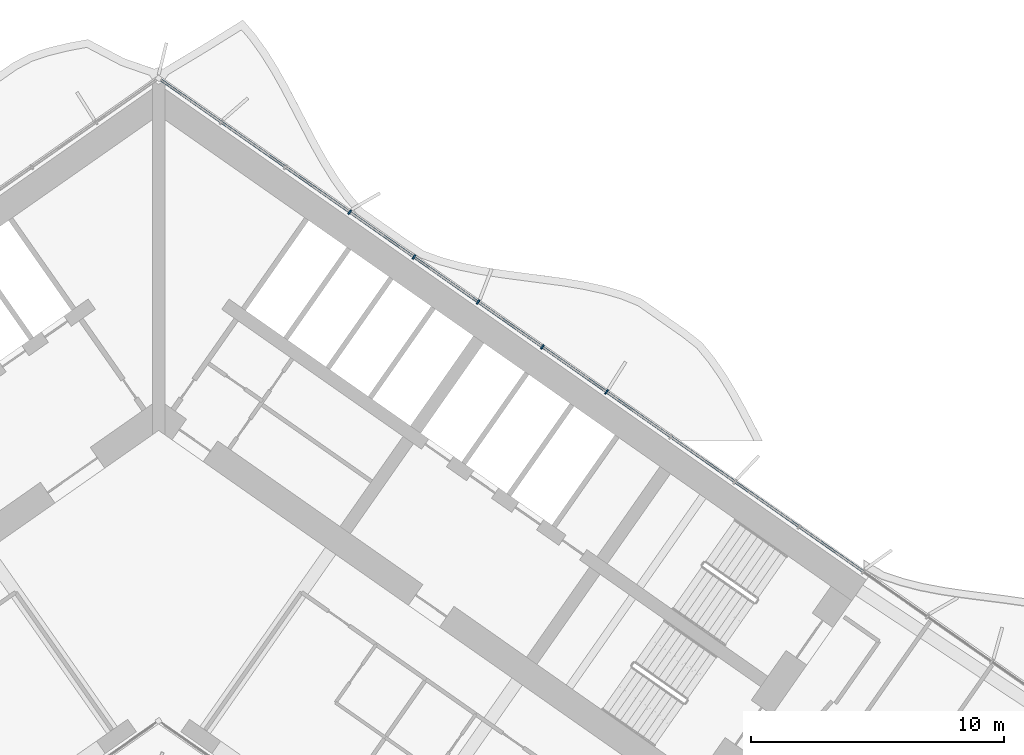
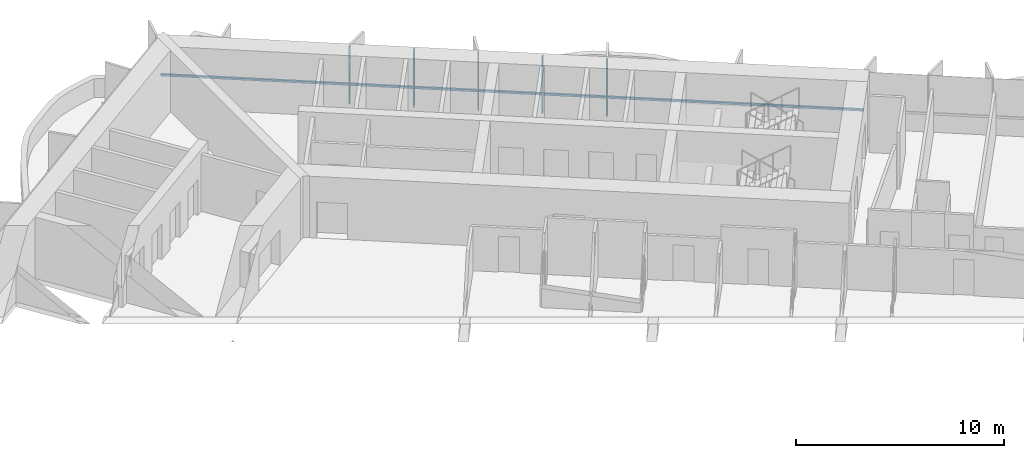
# One storey, part 8 of 23: 6 members, 1 element without a shape of its own.
"""IFC4 building model written with IfcOpenShell, lengths in metres."""

from ifc_helpers import new_model, si_unit, direction, frame, origin, origin_2d, place, context, subcontext, project, spatial, rectangle, extrude, material, material_profile, profile_set, type_object, element, aggregate, save


model = new_model("IFC4")

# Units and contexts
model_context = context("Model", 3, precision=1e-05, world=origin(), true_north=direction((0.0, 1.0)))
body_context = subcontext(model_context, "Body", "Model", "MODEL_VIEW")
ifc_project = project(units=[si_unit("LENGTHUNIT", "METRE"), si_unit("AREAUNIT", "SQUARE_METRE"), si_unit("VOLUMEUNIT", "CUBIC_METRE"), si_unit("PLANEANGLEUNIT", "RADIAN"), si_unit("MASSUNIT", "GRAM", prefix="KILO")], contexts=[model_context])

# Site, building, storey
site_placement = place(None, origin())
site = spatial("IfcSite", under=ifc_project, at=site_placement, CompositionType="ELEMENT")
building_placement = place(site_placement, origin())
building = spatial("IfcBuilding", under=site, at=building_placement, Name="Tel Ilan Convention Tower", CompositionType="ELEMENT")
storey_placement = place(building_placement, frame((0.0, 0.0, 104.89990234375)))
storey = spatial("IfcBuildingStorey", under=building, at=storey_placement, Name="L22", CompositionType="ELEMENT", Elevation=104.89990234375)

# Curtain wall, members
ifc_material_1 = material(Name="Aluminium, bronze anodised", Category="aluminium")
curtain_wall_type = type_object("IfcCurtainWallType", Name="CW2 STICK CURTAIN WALL, SPANDREL PANELS", PredefinedType="NOTDEFINED", material=ifc_material_1)
curtain_wall_placement = place(storey_placement, origin())
curtain_wall = element("IfcCurtainWall", 1, at=curtain_wall_placement, inside=storey, type_object=curtain_wall_type, Name="Curtain wall CW2-19.01", PredefinedType="NOTDEFINED")
ifc_material_2 = material(Name="Aluminium, bronze anodised", Category="aluminium")
ifc_material_profile_1 = material_profile(ifc_material_2, rectangle(XDim=0.06005859375, YDim=0.199951171875, at=origin_2d()), Name="CW MULLION 60x200")
ifc_profile_set_1 = profile_set([ifc_material_profile_1], Name="Aluminium, bronze anodised")
member_type_1 = type_object("IfcMemberType", Name="CW MULLION 60x200", PredefinedType="MULLION", material=ifc_profile_set_1)
member_1_placement = place(storey_placement, frame((17.701171875, 0.301513671875, 0.0), z_axis=(0.0, 0.0, 1.0), x_axis=(-0.819152044289, 0.573576436351, 0.0)))
member_1 = element("IfcMember", 2, at=member_1_placement, type_object=member_type_1, Name="Mullion", PredefinedType="MULLION", context=body_context, shape_type="SweptSolid", body=[
    extrude(rectangle(XDim=0.06005859375, YDim=0.199951171875, at=origin_2d()), origin(), (0.0, 0.0, 1.0), 3.320068359375),
])
member_2_placement = place(storey_placement, frame((15.1640625, 2.077880859375, 0.0), z_axis=(0.0, 0.0, 1.0), x_axis=(-0.819152044289, 0.573576436351, 0.0)))
member_2 = element("IfcMember", 3, at=member_2_placement, type_object=member_type_1, Name="Mullion", PredefinedType="MULLION", context=body_context, shape_type="SweptSolid", body=[
    extrude(rectangle(XDim=0.06005859375, YDim=0.199951171875, at=origin_2d()), origin(), (0.0, 0.0, 1.0), 3.320068359375),
])
member_3_placement = place(storey_placement, frame((12.627197265625, 3.854248046875, 0.0), z_axis=(0.0, 0.0, 1.0), x_axis=(-0.819152044289, 0.573576436351, 0.0)))
member_3 = element("IfcMember", 4, at=member_3_placement, type_object=member_type_1, Name="Mullion", PredefinedType="MULLION", context=body_context, shape_type="SweptSolid", body=[
    extrude(rectangle(XDim=0.06005859375, YDim=0.199951171875, at=origin_2d()), origin(), (0.0, 0.0, 1.0), 3.320068359375),
])
member_4_placement = place(storey_placement, frame((10.09033203125, 5.630615234375, 0.0), z_axis=(0.0, 0.0, 1.0), x_axis=(-0.819152044289, 0.573576436351, 0.0)))
member_4 = element("IfcMember", 5, at=member_4_placement, type_object=member_type_1, Name="Mullion", PredefinedType="MULLION", context=body_context, shape_type="SweptSolid", body=[
    extrude(rectangle(XDim=0.06005859375, YDim=0.199951171875, at=origin_2d()), origin(), (0.0, 0.0, 1.0), 3.320068359375),
])
member_5_placement = place(storey_placement, frame((7.553466796875, 7.406982421875, 0.0), z_axis=(0.0, 0.0, 1.0), x_axis=(-0.819152044289, 0.573576436351, 0.0)))
member_5 = element("IfcMember", 6, at=member_5_placement, type_object=member_type_1, Name="Mullion", PredefinedType="MULLION", context=body_context, shape_type="SweptSolid", body=[
    extrude(rectangle(XDim=0.06005859375, YDim=0.199951171875, at=origin_2d()), origin(), (0.0, 0.0, 1.0), 3.320068359375),
])
ifc_material_3 = material(Name="Aluminium, bronze anodised", Category="aluminium")
ifc_material_profile_2 = material_profile(ifc_material_3, rectangle(XDim=0.10009765625, YDim=0.1201171875, at=origin_2d()), Name="CW TRANSOM 100x120")
ifc_profile_set_2 = profile_set([ifc_material_profile_2], Name="Aluminium, bronze anodised")
member_type_2 = type_object("IfcMemberType", Name="CW TRANSOM 100x120", PredefinedType="USERDEFINED", material=ifc_profile_set_2)
member_6_placement = place(storey_placement, frame((27.82421875, -6.78662109375, 1.10009765625), z_axis=(-0.819151916241, 0.573576619222, 0.0), x_axis=(-0.573576619222, -0.819151916241, 0.0)))
member_6 = element("IfcMember", 7, at=member_6_placement, type_object=member_type_2, Name="Transom", ObjectType="TRANSOM", PredefinedType="USERDEFINED", context=body_context, shape_type="SweptSolid", body=[
    extrude(rectangle(XDim=0.10009765625, YDim=0.1201171875, at=origin_2d()), origin(), (0.0, 0.0, 1.0), 33.837158203125),
])
aggregate(curtain_wall, [member_1, member_2, member_3, member_4, member_5, member_6])

save(model, "model.ifc")
